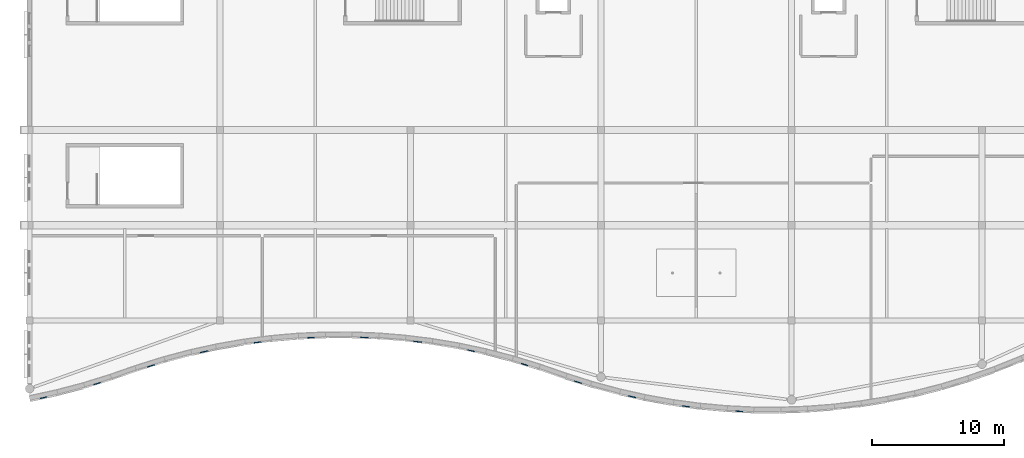
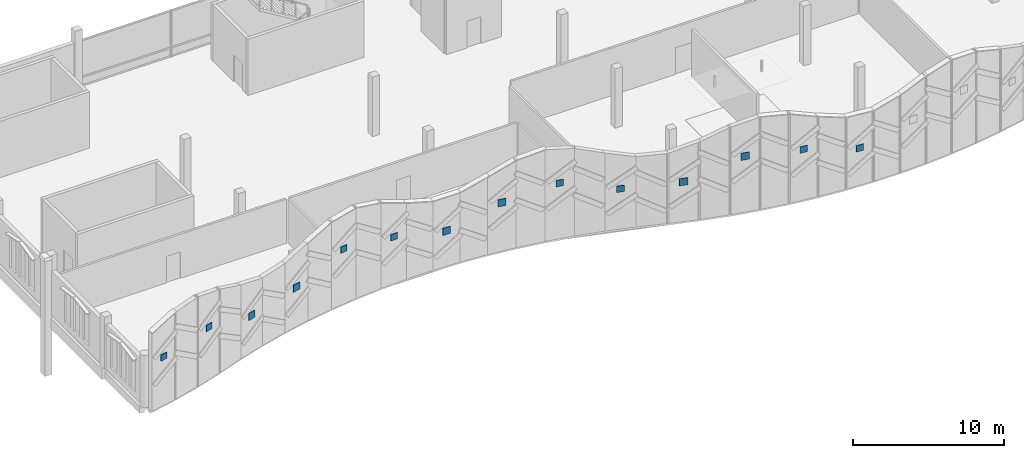
# One storey, part 71 of 116: 14 plates.
"""IFC4 building model written with IfcOpenShell, lengths in metres."""

from ifc_helpers import new_model, si_unit, direction, frame, origin, origin_2d, place, context, subcontext, project, spatial, rectangle, extrude, material, layer, layer_set, type_object, element, save


model = new_model("IFC4")

# Units and contexts
model_context = context("Model", 3, precision=1e-05, world=origin(), true_north=direction((0.0, 1.0)))
body_context = subcontext(model_context, "Body", "Model", "MODEL_VIEW")
ifc_project = project(units=[si_unit("LENGTHUNIT", "METRE"), si_unit("AREAUNIT", "SQUARE_METRE"), si_unit("VOLUMEUNIT", "CUBIC_METRE"), si_unit("PLANEANGLEUNIT", "RADIAN"), si_unit("MASSUNIT", "GRAM", prefix="KILO")], contexts=[model_context])

# Site, building, storey
site_placement = place(None, origin())
site = spatial("IfcSite", under=ifc_project, at=site_placement, CompositionType="ELEMENT")
building_placement = place(site_placement, origin())
building = spatial("IfcBuilding", under=site, at=building_placement, Name="Cendralis Lancet Convention Centre", CompositionType="ELEMENT")
storey_placement = place(building_placement, frame((0.0, 0.0, 15.0)))
storey = spatial("IfcBuildingStorey", under=building, at=storey_placement, Name="L03", CompositionType="ELEMENT", Elevation=15.0)

# Plates
ifc_material_1 = material(Name="Warm buff sandstone chevron cassette", Category="masonry")
ifc_layer_1 = layer(ifc_material_1, 0.044921875, Name="Warm buff sandstone chevron cassette")
ifc_layer_set_1 = layer_set([ifc_layer_1], Name="Warm buff sandstone chevron cassette")
plate_type_1 = type_object("IfcPlateType", Name="ARC-PL-CHV1", PredefinedType="SHEET", material=ifc_layer_set_1)
for number, where, z_axis, x_axis, name in (
    (1, (9.168701171875, 3.7666015625, 2.712890625), (0.0, 0.0, 1.0), (0.95431858451, 0.298790962477, 0.0), "Chevron Keystone Cassette CHV-S1 #0009"),
    (2, (25.308349609375, 5.918701171875, 2.5810546875), (0.0, 0.0, 1.0), (0.999239960688, -0.038980776845, 0.0), "Chevron Keystone Cassette CHV-S1 #0021"),
    (3, (41.46142578125, 2.5380859375, 2.94287109375), (0.0, 0.0, 1.0), (0.953106193026, -0.302636060006, 0.0), "Chevron Keystone Cassette CHV-S1 #0033"),
):
    element("IfcPlate", number, at=place(storey_placement, frame(where, z_axis=z_axis, x_axis=x_axis)), inside=storey, type_object=plate_type_1, Name=name, PredefinedType="SHEET", context=body_context, shape_type="SweptSolid", body=[
        extrude(rectangle(XDim=0.580078125, YDim=0.044921875, at=origin_2d()), origin(), (0.0, 0.0, 1.0), 0.580078125),
    ])
ifc_material_2 = material(Name="Dark Andean slate chevron cassette", Category="masonry")
ifc_layer_2 = layer(ifc_material_2, 0.048095703125, Name="Dark Andean slate chevron cassette")
ifc_layer_set_2 = layer_set([ifc_layer_2], Name="Dark Andean slate chevron cassette")
plate_type_2 = type_object("IfcPlateType", Name="ARC-PL-CHV2", PredefinedType="SHEET", material=ifc_layer_set_2)
for number, where, z_axis, x_axis, name in (
    (4, (13.20361328125, 4.83984375, 2.926025390625), (0.0, 0.0, 1.0), (0.976717230975, 0.214530768695, 0.0), "Chevron Keystone Cassette CHV-D1 #0012"),
    (5, (29.3427734375, 5.5908203125, 3.65087890625), (0.0, 0.0, 1.0), (0.992405109755, -0.123012593387, 0.0), "Chevron Keystone Cassette CHV-D1 #0024"),
    (6, (45.527099609375, 1.43896484375, 4.25390625), (0.0, 0.0, 1.0), (0.975878673897, -0.21831356768, 0.0), "Chevron Keystone Cassette CHV-D1 #0036"),
):
    element("IfcPlate", number, at=place(storey_placement, frame(where, z_axis=z_axis, x_axis=x_axis)), inside=storey, type_object=plate_type_2, Name=name, PredefinedType="SHEET", context=body_context, shape_type="SweptSolid", body=[
        extrude(rectangle(XDim=0.580078125, YDim=0.048095703125, at=origin_2d()), origin(), (0.0, 0.0, 1.0), 0.580078125),
    ])
ifc_layer_3 = layer(ifc_material_1, 0.044921875, Name="Warm buff sandstone chevron cassette")
ifc_layer_set_3 = layer_set([ifc_layer_3], Name="Warm buff sandstone chevron cassette")
plate_type_3 = type_object("IfcPlateType", Name="ARC-PL-CHV3", PredefinedType="SHEET", material=ifc_layer_set_3)
for number, where, z_axis, x_axis, name in (
    (7, (1.051513671875, 1.36328125, 3.702880859375), (0.0, 0.0, 1.0), (0.977397448997, 0.211410091278, 0.0), "Chevron Keystone Cassette CHV-S2 #0003"),
    (8, (17.238525390625, 5.547607421875, 4.205078125), (0.0, 0.0, 1.0), (0.991483545633, 0.130232018867, 0.0), "Chevron Keystone Cassette CHV-S2 #0015"),
    (9, (33.378173828125, 4.9140625, 4.258056640625), (0.0, 0.0, 1.0), (0.978191124203, -0.207706823505, 0.0), "Chevron Keystone Cassette CHV-S2 #0027"),
    (10, (49.59375, 0.710205078125, 3.863037109375), (0.0, 0.0, 1.0), (0.991034573663, -0.133605665318, 0.0), "Chevron Keystone Cassette CHV-S2 #0039"),
):
    element("IfcPlate", number, at=place(storey_placement, frame(where, z_axis=z_axis, x_axis=x_axis)), inside=storey, type_object=plate_type_3, Name=name, PredefinedType="SHEET", context=body_context, shape_type="SweptSolid", body=[
        extrude(rectangle(XDim=0.52001953125, YDim=0.044921875, at=origin_2d()), origin(), (0.0, 0.0, 1.0), 0.52001953125),
    ])
ifc_layer_4 = layer(ifc_material_2, 0.048095703125, Name="Dark Andean slate chevron cassette")
ifc_layer_set_4 = layer_set([ifc_layer_4], Name="Dark Andean slate chevron cassette")
plate_type_4 = type_object("IfcPlateType", Name="ARC-PL-CHV4", PredefinedType="SHEET", material=ifc_layer_set_4)
for number, where, z_axis, x_axis, name in (
    (11, (5.11767578125, 2.430908203125, 4.02392578125), (0.0, 0.0, 1.0), (0.955299004111, 0.295641358313, 0.0), "Chevron Keystone Cassette CHV-D2 #0006"),
    (12, (21.2734375, 5.904296875, 3.554931640625), (0.0, 0.0, 1.0), (0.998970569791, 0.045362988129, 0.0), "Chevron Keystone Cassette CHV-D2 #0018"),
    (13, (37.41259765625, 3.8720703125, 3.013916015625), (0.0, 0.0, 1.0), (0.95645261608, -0.29188763796, 0.0), "Chevron Keystone Cassette CHV-D2 #0030"),
    (14, (53.6591796875, 0.334716796875, 2.76806640625), (0.0, 0.0, 1.0), (0.998758784752, -0.049808532204, 0.0), "Chevron Keystone Cassette CHV-D2 #0042"),
):
    element("IfcPlate", number, at=place(storey_placement, frame(where, z_axis=z_axis, x_axis=x_axis)), inside=storey, type_object=plate_type_4, Name=name, PredefinedType="SHEET", context=body_context, shape_type="SweptSolid", body=[
        extrude(rectangle(XDim=0.52001953125, YDim=0.048095703125, at=origin_2d()), origin(), (0.0, 0.0, 1.0), 0.52001953125),
    ])

save(model, "model.ifc")
